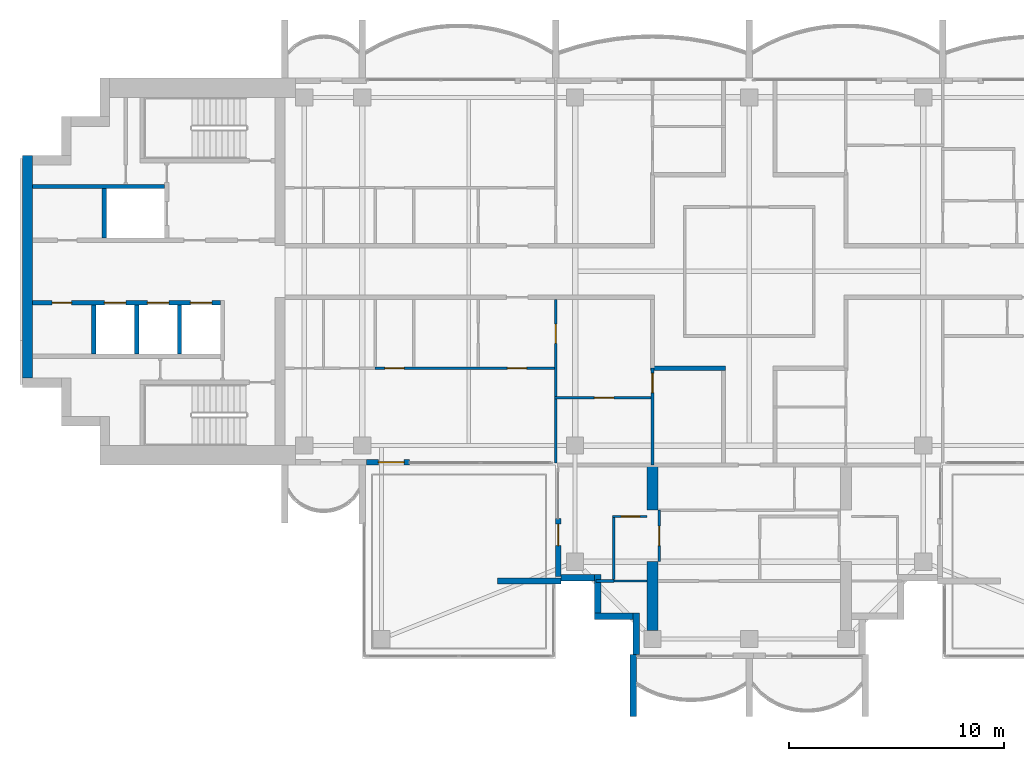
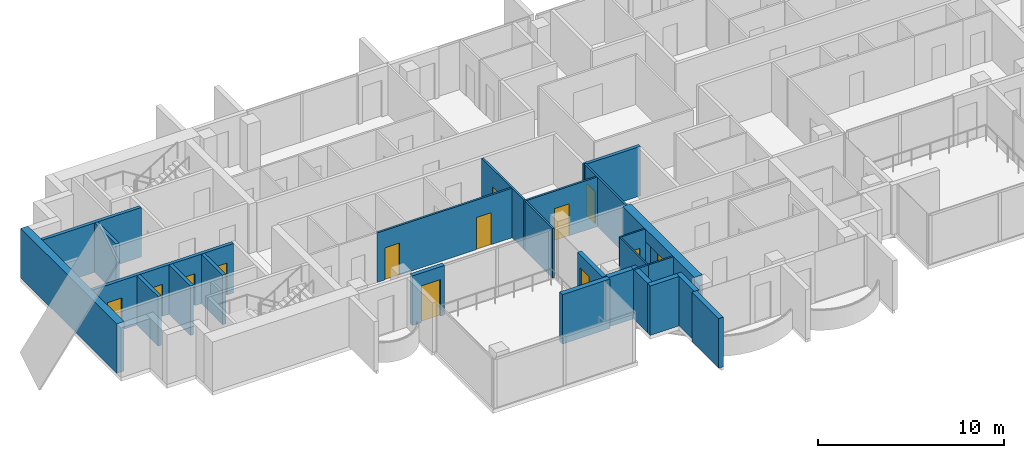
# One storey, part 7 of 17: 26 walls, 13 doors, 13 openings.
"""IFC4 building model written with IfcOpenShell, lengths in metres."""

from ifc_helpers import new_model, si_unit, direction, frame, frame_2d, origin, place, context, subcontext, project, spatial, polyline, rectangle, outline, extrude, material, layer, layer_set, material_profile, profile_set, type_object, element, fill, save


model = new_model("IFC4")

# Units and contexts
model_context = context("Model", 3, precision=1e-05, world=origin(), true_north=direction((0.0, 1.0)))
body_context = subcontext(model_context, "Body", "Model", "MODEL_VIEW")
ifc_project = project(units=[si_unit("LENGTHUNIT", "METRE"), si_unit("AREAUNIT", "SQUARE_METRE"), si_unit("VOLUMEUNIT", "CUBIC_METRE"), si_unit("PLANEANGLEUNIT", "RADIAN"), si_unit("MASSUNIT", "GRAM", prefix="KILO")], contexts=[model_context])

# Site, building, storey
site_placement = place(None, origin())
site = spatial("IfcSite", under=ifc_project, at=site_placement, CompositionType="ELEMENT")
building_placement = place(site_placement, origin())
building = spatial("IfcBuilding", under=site, at=building_placement, Name="Perihelion Cross Residences", CompositionType="ELEMENT")
storey_placement = place(building_placement, frame((0.0, 0.0, 278.0)))
storey = spatial("IfcBuildingStorey", under=building, at=storey_placement, Name="L71", CompositionType="ELEMENT", Elevation=278.0)

# Wall
ifc_material_1 = material(Name="Plasterboard partition")
ifc_layer_1 = layer(ifc_material_1, 0.199951171875)
ifc_layer_set_1 = layer_set([ifc_layer_1], Name="Apartment separation wall 200")
wall_type_1 = type_object("IfcWallType", Name="Apartment separation wall 200", PredefinedType="PARTITIONING", material=ifc_layer_set_1)
wall_1_placement = place(storey_placement, frame((-1.10009765625, -4.5, 0.0), z_axis=(0.0, 0.0, 1.0), x_axis=(-1.0, 0.0, 0.0)))
element("IfcWall", 1, at=wall_1_placement, inside=storey, type_object=wall_type_1, Name="Partition L71 W020", PredefinedType="PARTITIONING", context=body_context, shape_type="SweptSolid", body=[
    extrude(rectangle(XDim=3.5, YDim=0.199951171875, at=frame_2d((1.75, 0.0))), origin(), (0.0, 0.0, 1.0), 3.25),
])

# Wall, opening, door
ifc_material_2 = material(Name="Concrete C30/37, bronze-clad", Category="concrete")
ifc_layer_2 = layer(ifc_material_2, 0.25)
ifc_layer_set_2 = layer_set([ifc_layer_2], Name="Bronze-clad pier wall 250")
wall_type_2 = type_object("IfcWallType", Name="Bronze-clad pier wall 250", PredefinedType="SOLIDWALL", material=ifc_layer_set_2)
wall_2_placement = place(storey_placement, frame((-17.800048828125, -8.875, 0.0), z_axis=(0.0, 0.0, 1.0), x_axis=(1.0, 0.0, 0.0)))
wall_2 = element("IfcWall", 2, at=wall_2_placement, inside=storey, type_object=wall_type_2, Name="Wall FW1 L71 west side south bay 2 pier", PredefinedType="SOLIDWALL", context=body_context, shape_type="SweptSolid", body=[
    extrude(rectangle(XDim=2.0, YDim=0.25, at=frame_2d((1.0, 0.0))), origin(), (0.0, 0.0, 1.0), 3.25),
])
opening_1_placement = place(wall_2_placement, frame((0.550048828125, 0.0, 0.0)))
opening_1 = element("IfcOpeningElement", 3, at=opening_1_placement, cuts=wall_2, Name="Opening L71.E08", PredefinedType="OPENING", context=body_context, shape_type="SweptSolid", body=[
    extrude(rectangle(XDim=1.199951171875, YDim=2.39990234375, at=frame_2d((0.60009765625, 1.199951171875))), frame((0.0, 0.135009765625, 0.0), z_axis=(0.0, -1.0, 0.0), x_axis=(1.0, 0.0, 0.0)), (0.0, 0.0, 1.0), 0.27001953125),
])
ifc_material_3 = material(Name="Bronze anodised aluminium, glazed", Category="aluminium")
door_type_1 = type_object("IfcDoorType", Name="Balcony door 1200 x 2400", OperationType="NOTDEFINED", PredefinedType="DOOR", material=ifc_material_3)
door_1_placement = place(opening_1_placement, origin())
door_1 = element("IfcDoor", 4, at=door_1_placement, inside=storey, type_object=door_type_1, Name="Door L71.E08 west side south bay 2", OperationType="SINGLE_SWING_RIGHT", OverallHeight=2.39990234375, OverallWidth=1.199951171875, PredefinedType="DOOR", context=body_context, shape_type="SweptSolid", body=[
    extrude(rectangle(XDim=1.199951171875, YDim=2.39990234375, at=frame_2d((0.60009765625, 1.199951171875))), frame((0.0, 0.02490234375, 0.0), z_axis=(0.0, -1.0, 0.0), x_axis=(1.0, 0.0, 0.0)), (0.0, 0.0, 1.0), 0.050048828125),
])
fill(opening_1, door_1)

wall_3_placement = place(storey_placement, frame((-8.875, -11.5, 0.0), z_axis=(0.0, 0.0, 1.0), x_axis=(0.0, -1.0, 0.0)))
wall_3 = element("IfcWall", 5, at=wall_3_placement, inside=storey, type_object=wall_type_2, Name="Wall FW1 L71 south side west bay 1 pier", PredefinedType="SOLIDWALL", context=body_context, shape_type="SweptSolid", body=[
    extrude(rectangle(XDim=2.699951171875, YDim=0.25, at=frame_2d((1.35009765625, 0.0))), origin(), (0.0, 0.0, 1.0), 3.25),
])
opening_2_placement = place(wall_3_placement, frame((0.25, 0.0, 0.0)))
opening_2 = element("IfcOpeningElement", 6, at=opening_2_placement, cuts=wall_3, Name="Opening L71.E09", PredefinedType="OPENING", context=body_context, shape_type="SweptSolid", body=[
    extrude(rectangle(XDim=1.0, YDim=2.39990234375, at=frame_2d((0.5, 1.199951171875))), frame((0.0, 0.135009765625, 0.0), z_axis=(0.0, -1.0, 0.0), x_axis=(1.0, 0.0, 0.0)), (0.0, 0.0, 1.0), 0.27001953125),
])
ifc_material_4 = material(Name="Bronze anodised aluminium, glazed", Category="aluminium")
door_type_2 = type_object("IfcDoorType", Name="Balcony door 1000 x 2400", OperationType="NOTDEFINED", PredefinedType="DOOR", material=ifc_material_4)
door_2_placement = place(opening_2_placement, origin())
door_2 = element("IfcDoor", 7, at=door_2_placement, inside=storey, type_object=door_type_2, Name="Door L71.E09 south side west bay 1", OperationType="SINGLE_SWING_LEFT", OverallHeight=2.39990234375, OverallWidth=1.0, PredefinedType="DOOR", context=body_context, shape_type="SweptSolid", body=[
    extrude(rectangle(XDim=1.0, YDim=2.39990234375, at=frame_2d((0.5, 1.199951171875))), frame((0.0, 0.02490234375, 0.0), z_axis=(0.0, -1.0, 0.0), x_axis=(1.0, 0.0, 0.0)), (0.0, 0.0, 1.0), 0.050048828125),
])
fill(opening_2, door_2)

# Walls
ifc_material_5 = material(Name="Concrete C30/37, bronze-clad", Category="concrete")
ifc_layer_3 = layer(ifc_material_5, 0.300048828125)
ifc_layer_set_3 = layer_set([ifc_layer_3], Name="Bronze-clad serration wall 300")
wall_type_3 = type_object("IfcWallType", Name="Bronze-clad serration wall 300", PredefinedType="SOLIDWALL", material=ifc_layer_set_3)
wall_4_placement = place(storey_placement, frame((-8.75, -14.25, 0.0), z_axis=(0.0, 0.0, 1.0), x_axis=(1.0, 0.0, 0.0)))
element("IfcWall", 8, at=wall_4_placement, inside=storey, type_object=wall_type_3, Name="Wall SR1 L71 south corner south-west 1", PredefinedType="SOLIDWALL", context=body_context, shape_type="SweptSolid", body=[
    extrude(rectangle(XDim=1.550048828125, YDim=0.300048828125, at=frame_2d((0.77490234375, 0.0))), origin(), (0.0, 0.0, 1.0), 3.25),
])
wall_5_placement = place(storey_placement, frame((-7.050048828125, -14.10009765625, 0.0), z_axis=(0.0, 0.0, 1.0), x_axis=(0.0, -1.0, 0.0)))
element("IfcWall", 9, at=wall_5_placement, inside=storey, type_object=wall_type_3, Name="Wall SR1 L71 south corner south-west 2", PredefinedType="SOLIDWALL", context=body_context, shape_type="SweptSolid", body=[
    extrude(rectangle(XDim=1.7998046875, YDim=0.300048828125, at=frame_2d((0.89990234375, 0.0))), origin(), (0.0, 0.0, 1.0), 3.25),
])
wall_6_placement = place(storey_placement, frame((-7.199951171875, -16.050048828125, 0.0), z_axis=(0.0, 0.0, 1.0), x_axis=(1.0, 0.0, 0.0)))
element("IfcWall", 10, at=wall_6_placement, inside=storey, type_object=wall_type_3, Name="Wall SR1 L71 south corner south-west 3", PredefinedType="SOLIDWALL", context=body_context, shape_type="SweptSolid", body=[
    extrude(rectangle(XDim=1.800048828125, YDim=0.300048828125, at=frame_2d((0.89990234375, 0.0))), origin(), (0.0, 0.0, 1.0), 3.25),
])
wall_7_placement = place(storey_placement, frame((-5.25, -15.89990234375, 0.0), z_axis=(0.0, 0.0, 1.0), x_axis=(0.0, -1.0, 0.0)))
element("IfcWall", 11, at=wall_7_placement, inside=storey, type_object=wall_type_3, Name="Wall SR1 L71 south corner south-west 4", PredefinedType="SOLIDWALL", context=body_context, shape_type="SweptSolid", body=[
    extrude(rectangle(XDim=1.920166015625, YDim=0.300048828125, at=frame_2d((0.9599609375, 0.0))), origin(), (0.0, 0.0, 1.0), 3.25),
])
ifc_material_6 = material(Name="Concrete C60/75", Category="concrete")
ifc_layer_4 = layer(ifc_material_6, 0.449951171875)
ifc_layer_set_4 = layer_set([ifc_layer_4], Name="Core wall, outer 450")
wall_type_4 = type_object("IfcWallType", Name="Core wall, outer 450", PredefinedType="SHEAR", material=ifc_layer_set_4)
wall_8_placement = place(storey_placement, frame((-33.574951171875, -4.949951171875, 0.0), z_axis=(0.0, 0.0, 1.0), x_axis=(0.0, 1.0, 0.0)))
element("IfcWall", 12, at=wall_8_placement, inside=storey, type_object=wall_type_4, Name="West core core wall, outer", PredefinedType="SHEAR", context=body_context, shape_type="SweptSolid", body=[
    extrude(rectangle(XDim=10.349853515625, YDim=0.449951171875, at=frame_2d((5.1748046875, 0.0))), origin(), (0.0, 0.0, 1.0), 3.25),
])

# Wall, opening, door
ifc_material_7 = material(Name="Plasterboard partition")
ifc_layer_5 = layer(ifc_material_7, 0.1201171875)
ifc_layer_set_5 = layer_set([ifc_layer_5], Name="Infill panel 120")
wall_type_5 = type_object("IfcWallType", Name="Infill panel 120", PredefinedType="PARTITIONING", material=ifc_layer_set_5)
wall_9_placement = place(storey_placement, frame((-4.18994140625, -11.10009765625, 0.0), z_axis=(0.0, 0.0, 1.0), x_axis=(0.0, -1.0, 0.0)))
wall_9 = element("IfcWall", 13, at=wall_9_placement, inside=storey, type_object=wall_type_5, Name="Partition L71 WI02", PredefinedType="PARTITIONING", context=body_context, shape_type="SweptSolid", body=[
    extrude(rectangle(XDim=2.39990234375, YDim=0.1201171875, at=frame_2d((1.199951171875, 0.0))), origin(), (0.0, 0.0, 1.0), 2.39990234375),
])
opening_3_placement = place(wall_9_placement, frame((0.75, 0.0, 0.0)))
opening_3 = element("IfcOpeningElement", 14, at=opening_3_placement, cuts=wall_9, Name="Opening L71.A47", PredefinedType="OPENING", context=body_context, shape_type="SweptSolid", body=[
    extrude(rectangle(XDim=0.89990234375, YDim=2.10009765625, at=frame_2d((0.449951171875, 1.050048828125))), frame((0.0, 0.070068359375, 0.0), z_axis=(0.0, -1.0, 0.0), x_axis=(1.0, 0.0, 0.0)), (0.0, 0.0, 1.0), 0.14013671875),
])
ifc_material_8 = material(Name="Timber door leaf", Category="wood")
door_type_3 = type_object("IfcDoorType", Name="Interior room door 900 x 2100", OperationType="SINGLE_SWING_LEFT", PredefinedType="DOOR", material=ifc_material_8)
door_3_placement = place(opening_3_placement, origin())
door_3 = element("IfcDoor", 15, at=door_3_placement, inside=storey, type_object=door_type_3, Name="Door L71.A47", OperationType="SINGLE_SWING_LEFT", OverallHeight=2.10009765625, OverallWidth=0.89990234375, PredefinedType="DOOR", context=body_context, shape_type="SweptSolid", body=[
    extrude(rectangle(XDim=0.89990234375, YDim=2.10009765625, at=frame_2d((0.449951171875, 1.050048828125))), frame((0.0, 0.02490234375, 0.0), z_axis=(0.0, -1.0, 0.0), x_axis=(1.0, 0.0, 0.0)), (0.0, 0.0, 1.0), 0.050048828125),
])
fill(opening_3, door_3)

# Wall, openings, doors
ifc_material_9 = material(Name="Plasterboard partition")
ifc_layer_6 = layer(ifc_material_9, 0.1201171875)
ifc_layer_set_6 = layer_set([ifc_layer_6], Name="Partition wall 120")
wall_type_6 = type_object("IfcWallType", Name="Partition wall 120", PredefinedType="PARTITIONING", material=ifc_layer_set_6)
wall_10_placement = place(storey_placement, frame((-8.93994140625, -4.5, 0.0), z_axis=(0.0, 0.0, 1.0), x_axis=(-1.0, 0.0, 0.0)))
wall_10 = element("IfcWall", 16, at=wall_10_placement, inside=storey, type_object=wall_type_6, Name="Partition L71 W058", PredefinedType="PARTITIONING", context=body_context, shape_type="SweptSolid", body=[
    extrude(rectangle(XDim=8.4599609375, YDim=0.1201171875, at=frame_2d((4.22998046875, 0.0))), origin(), (0.0, 0.0, 1.0), 3.25),
])
opening_4_placement = place(wall_10_placement, frame((7.110107421875, 0.0, 0.0)))
opening_4 = element("IfcOpeningElement", 17, at=opening_4_placement, cuts=wall_10, Name="Opening L71.A32", PredefinedType="OPENING", context=body_context, shape_type="SweptSolid", body=[
    extrude(rectangle(XDim=0.89990234375, YDim=2.10009765625, at=frame_2d((0.449951171875, 1.050048828125))), frame((0.0, 0.070068359375, 0.0), z_axis=(0.0, -1.0, 0.0), x_axis=(1.0, 0.0, 0.0)), (0.0, 0.0, 1.0), 0.14013671875),
])
opening_5_placement = place(wall_10_placement, frame((1.409912109375, 0.0, 0.0)))
opening_5 = element("IfcOpeningElement", 18, at=opening_5_placement, cuts=wall_10, Name="Opening L71.A34", PredefinedType="OPENING", context=body_context, shape_type="SweptSolid", body=[
    extrude(rectangle(XDim=0.89990234375, YDim=2.10009765625, at=frame_2d((0.449951171875, 1.050048828125))), frame((0.0, 0.070068359375, 0.0), z_axis=(0.0, -1.0, 0.0), x_axis=(1.0, 0.0, 0.0)), (0.0, 0.0, 1.0), 0.14013671875),
])
door_4_placement = place(opening_4_placement, origin())
door_4 = element("IfcDoor", 19, at=door_4_placement, inside=storey, type_object=door_type_3, Name="Door L71.A32", OperationType="SINGLE_SWING_RIGHT", OverallHeight=2.10009765625, OverallWidth=0.89990234375, PredefinedType="DOOR", context=body_context, shape_type="SweptSolid", body=[
    extrude(rectangle(XDim=0.89990234375, YDim=2.10009765625, at=frame_2d((0.449951171875, 1.050048828125))), frame((0.0, 0.02490234375, 0.0), z_axis=(0.0, -1.0, 0.0), x_axis=(1.0, 0.0, 0.0)), (0.0, 0.0, 1.0), 0.050048828125),
])
fill(opening_4, door_4)
door_5_placement = place(opening_5_placement, origin())
door_5 = element("IfcDoor", 20, at=door_5_placement, inside=storey, type_object=door_type_3, Name="Door L71.A34", OperationType="SINGLE_SWING_RIGHT", OverallHeight=2.10009765625, OverallWidth=0.89990234375, PredefinedType="DOOR", context=body_context, shape_type="SweptSolid", body=[
    extrude(rectangle(XDim=0.89990234375, YDim=2.10009765625, at=frame_2d((0.449951171875, 1.050048828125))), frame((0.0, 0.02490234375, 0.0), z_axis=(0.0, -1.0, 0.0), x_axis=(1.0, 0.0, 0.0)), (0.0, 0.0, 1.0), 0.050048828125),
])
fill(opening_5, door_5)

# Wall, opening, door
wall_11_placement = place(storey_placement, frame((-9.0, -1.300048828125, 0.0), z_axis=(0.0, 0.0, 1.0), x_axis=(0.0, -1.0, 0.0)))
wall_11 = element("IfcWall", 21, at=wall_11_placement, inside=storey, type_object=wall_type_6, Name="Partition L71 W059", PredefinedType="PARTITIONING", context=body_context, shape_type="SweptSolid", body=[
    extrude(rectangle(XDim=7.619873046875, YDim=0.1201171875, at=frame_2d((3.81005859375, 0.0))), origin(), (0.0, 0.0, 1.0), 3.25),
])
opening_6_placement = place(wall_11_placement, frame((1.14990234375, 0.0, 0.0)))
opening_6 = element("IfcOpeningElement", 22, at=opening_6_placement, cuts=wall_11, Name="Opening L71.A30", PredefinedType="OPENING", context=body_context, shape_type="SweptSolid", body=[
    extrude(rectangle(XDim=0.89990234375, YDim=2.10009765625, at=frame_2d((0.449951171875, 1.050048828125))), frame((0.0, 0.070068359375, 0.0), z_axis=(0.0, -1.0, 0.0), x_axis=(1.0, 0.0, 0.0)), (0.0, 0.0, 1.0), 0.14013671875),
])
door_6_placement = place(opening_6_placement, origin())
door_6 = element("IfcDoor", 23, at=door_6_placement, inside=storey, type_object=door_type_3, Name="Door L71.A30", OperationType="SINGLE_SWING_RIGHT", OverallHeight=2.10009765625, OverallWidth=0.89990234375, PredefinedType="DOOR", context=body_context, shape_type="SweptSolid", body=[
    extrude(rectangle(XDim=0.89990234375, YDim=2.10009765625, at=frame_2d((0.449951171875, 1.050048828125))), frame((0.0, 0.02490234375, 0.0), z_axis=(0.0, -1.0, 0.0), x_axis=(1.0, 0.0, 0.0)), (0.0, 0.0, 1.0), 0.050048828125),
])
fill(opening_6, door_6)

wall_12_placement = place(storey_placement, frame((-4.43994140625, -5.8798828125, 0.0), z_axis=(0.0, 0.0, 1.0), x_axis=(-1.0, 0.0, 0.0)))
wall_12 = element("IfcWall", 24, at=wall_12_placement, inside=storey, type_object=wall_type_6, Name="Partition L71 W065", PredefinedType="PARTITIONING", context=body_context, shape_type="SweptSolid", body=[
    extrude(rectangle(XDim=4.6201171875, YDim=0.1201171875, at=frame_2d((2.31005859375, 0.0))), origin(), (0.0, 0.0, 1.0), 3.25),
])
opening_7_placement = place(wall_12_placement, frame((1.860107421875, 0.0, 0.0)))
opening_7 = element("IfcOpeningElement", 25, at=opening_7_placement, cuts=wall_12, Name="Opening L71.A33", PredefinedType="OPENING", context=body_context, shape_type="SweptSolid", body=[
    extrude(rectangle(XDim=0.89990234375, YDim=2.10009765625, at=frame_2d((0.449951171875, 1.050048828125))), frame((0.0, 0.070068359375, 0.0), z_axis=(0.0, -1.0, 0.0), x_axis=(1.0, 0.0, 0.0)), (0.0, 0.0, 1.0), 0.14013671875),
])
door_7_placement = place(opening_7_placement, origin())
door_7 = element("IfcDoor", 26, at=door_7_placement, inside=storey, type_object=door_type_3, Name="Door L71.A33", OperationType="SINGLE_SWING_LEFT", OverallHeight=2.10009765625, OverallWidth=0.89990234375, PredefinedType="DOOR", context=body_context, shape_type="SweptSolid", body=[
    extrude(rectangle(XDim=0.89990234375, YDim=2.10009765625, at=frame_2d((0.449951171875, 1.050048828125))), frame((0.0, 0.02490234375, 0.0), z_axis=(0.0, -1.0, 0.0), x_axis=(1.0, 0.0, 0.0)), (0.0, 0.0, 1.0), 0.050048828125),
])
fill(opening_7, door_7)

wall_13_placement = place(storey_placement, frame((-4.5, -4.5, 0.0), z_axis=(0.0, 0.0, 1.0), x_axis=(0.0, -1.0, 0.0)))
wall_13 = element("IfcWall", 27, at=wall_13_placement, inside=storey, type_object=wall_type_6, Name="Partition L71 W066", PredefinedType="PARTITIONING", context=body_context, shape_type="SweptSolid", body=[
    extrude(rectangle(XDim=4.5, YDim=0.1201171875, at=frame_2d((2.25, 0.0))), origin(), (0.0, 0.0, 1.0), 3.25),
])
opening_8_placement = place(wall_13_placement, frame((0.239990234375, 0.0, 0.0)))
opening_8 = element("IfcOpeningElement", 28, at=opening_8_placement, cuts=wall_13, Name="Opening L71.A28", PredefinedType="OPENING", context=body_context, shape_type="SweptSolid", body=[
    extrude(rectangle(XDim=0.89990234375, YDim=2.10009765625, at=frame_2d((0.449951171875, 1.050048828125))), frame((0.0, 0.070068359375, 0.0), z_axis=(0.0, -1.0, 0.0), x_axis=(1.0, 0.0, 0.0)), (0.0, 0.0, 1.0), 0.14013671875),
])
door_8_placement = place(opening_8_placement, origin())
door_8 = element("IfcDoor", 29, at=door_8_placement, inside=storey, type_object=door_type_3, Name="Door L71.A28", OperationType="SINGLE_SWING_RIGHT", OverallHeight=2.10009765625, OverallWidth=0.89990234375, PredefinedType="DOOR", context=body_context, shape_type="SweptSolid", body=[
    extrude(rectangle(XDim=0.89990234375, YDim=2.10009765625, at=frame_2d((0.449951171875, 1.050048828125))), frame((0.0, 0.02490234375, 0.0), z_axis=(0.0, -1.0, 0.0), x_axis=(1.0, 0.0, 0.0)), (0.0, 0.0, 1.0), 0.050048828125),
])
fill(opening_8, door_8)

# Walls
wall_14_placement = place(storey_placement, frame((-6.300048828125, -14.39990234375, 0.0), z_axis=(0.0, 0.0, 1.0), x_axis=(-1.0, 0.0, 0.0)))
element("IfcWall", 30, at=wall_14_placement, inside=storey, type_object=wall_type_6, Name="Partition L71 W078", PredefinedType="PARTITIONING", context=body_context, shape_type="SweptSolid", body=[
    extrude(rectangle(XDim=0.820068359375, YDim=0.1201171875, at=frame_2d((0.41015625, 0.0))), origin(), (0.0, 0.0, 1.0), 3.25),
])
ifc_material_10 = material(Name="Precast concrete C50/60", Category="concrete")
ifc_layer_7 = layer(ifc_material_10, 0.300048828125)
ifc_layer_set_7 = layer_set([ifc_layer_7], Name="Precast concrete C50/60 blade wall 300")
wall_type_7 = type_object("IfcWallType", Name="Precast concrete C50/60 blade wall 300", PredefinedType="SOLIDWALL", material=ifc_layer_set_7)
wall_15_placement = place(storey_placement, frame((-8.75, -14.39990234375, 0.0), z_axis=(0.0, 0.0, 1.0), x_axis=(-1.0, 0.0, 0.0)))
element("IfcWall", 31, at=wall_15_placement, inside=storey, type_object=wall_type_7, Name="Wall BL1 L71 no. 6", PredefinedType="SOLIDWALL", context=body_context, shape_type="SweptSolid", body=[
    extrude(rectangle(XDim=2.949951171875, YDim=0.300048828125, at=frame_2d((1.47509765625, 0.0))), origin(), (0.0, 0.0, 1.0), 3.25),
])
wall_16_placement = place(storey_placement, frame((-5.39990234375, -17.820068359375, 0.0), z_axis=(0.0, 0.0, 1.0), x_axis=(0.0, -1.0, 0.0)))
element("IfcWall", 32, at=wall_16_placement, inside=storey, type_object=wall_type_7, Name="Wall BL1 L71 no. 5", PredefinedType="SOLIDWALL", context=body_context, shape_type="SweptSolid", body=[
    extrude(rectangle(XDim=2.8798828125, YDim=0.300048828125, at=frame_2d((1.43994140625, 0.0))), origin(), (0.0, 0.0, 1.0), 3.25),
])

# Wall, openings, doors
ifc_material_11 = material(Name="Concrete C50/60", Category="concrete")
ifc_layer_8 = layer(ifc_material_11, 0.199951171875)
ifc_layer_set_8 = layer_set([ifc_layer_8], Name="Shaft wall 200")
wall_type_8 = type_object("IfcWallType", Name="Shaft wall 200", PredefinedType="SOLIDWALL", material=ifc_layer_set_8)
wall_17_placement = place(storey_placement, frame((-33.35009765625, -1.449951171875, 0.0), z_axis=(0.0, 0.0, 1.0), x_axis=(1.0, 0.0, 0.0)))
wall_17 = element("IfcWall", 33, at=wall_17_placement, inside=storey, type_object=wall_type_8, Name="West core shaft wall", PredefinedType="SOLIDWALL", context=body_context, shape_type="SweptSolid", body=[
    extrude(rectangle(XDim=8.75, YDim=0.199951171875, at=frame_2d((4.375, 0.0))), origin(), (0.0, 0.0, 1.0), 3.25),
])
opening_9_placement = place(wall_17_placement, frame((7.35009765625, 0.0, 0.0)))
opening_9 = element("IfcOpeningElement", 34, at=opening_9_placement, cuts=wall_17, Name="Opening L71.C15", PredefinedType="OPENING", context=body_context, shape_type="SweptSolid", body=[
    extrude(rectangle(XDim=1.0, YDim=2.10009765625, at=frame_2d((0.5, 1.050048828125))), frame((0.0, 0.10986328125, 0.0), z_axis=(0.0, -1.0, 0.0), x_axis=(1.0, 0.0, 0.0)), (0.0, 0.0, 1.0), 0.219970703125),
])
opening_10_placement = place(wall_17_placement, frame((5.35009765625, 0.0, 0.0)))
opening_10 = element("IfcOpeningElement", 35, at=opening_10_placement, cuts=wall_17, Name="Opening L71.C17", PredefinedType="OPENING", context=body_context, shape_type="SweptSolid", body=[
    extrude(rectangle(XDim=1.0, YDim=2.10009765625, at=frame_2d((0.5, 1.050048828125))), frame((0.0, 0.10986328125, 0.0), z_axis=(0.0, -1.0, 0.0), x_axis=(1.0, 0.0, 0.0)), (0.0, 0.0, 1.0), 0.219970703125),
])
opening_11_placement = place(wall_17_placement, frame((3.35009765625, 0.0, 0.0)))
opening_11 = element("IfcOpeningElement", 36, at=opening_11_placement, cuts=wall_17, Name="Opening L71.C18", PredefinedType="OPENING", context=body_context, shape_type="SweptSolid", body=[
    extrude(rectangle(XDim=1.0, YDim=2.10009765625, at=frame_2d((0.5, 1.050048828125))), frame((0.0, 0.10986328125, 0.0), z_axis=(0.0, -1.0, 0.0), x_axis=(1.0, 0.0, 0.0)), (0.0, 0.0, 1.0), 0.219970703125),
])
opening_12_placement = place(wall_17_placement, frame((0.925048828125, 0.0, 0.0)))
opening_12 = element("IfcOpeningElement", 37, at=opening_12_placement, cuts=wall_17, Name="Opening L71.C28", PredefinedType="OPENING", context=body_context, shape_type="SweptSolid", body=[
    extrude(rectangle(XDim=0.89990234375, YDim=2.10009765625, at=frame_2d((0.449951171875, 1.050048828125))), frame((0.0, 0.10986328125, 0.0), z_axis=(0.0, -1.0, 0.0), x_axis=(1.0, 0.0, 0.0)), (0.0, 0.0, 1.0), 0.219970703125),
])
ifc_material_12 = material(Name="Stainless steel", Category="steel")
door_type_4 = type_object("IfcDoorType", Name="Landing door 1000", OperationType="DOUBLE_DOOR_SLIDING", PredefinedType="DOOR", material=ifc_material_12)
door_9_placement = place(opening_9_placement, origin())
door_9 = element("IfcDoor", 38, at=door_9_placement, inside=storey, type_object=door_type_4, Name="Landing door, West core high-rise lift 1", OperationType="DOUBLE_DOOR_SLIDING", OverallHeight=2.10009765625, OverallWidth=1.0, PredefinedType="DOOR", context=body_context, shape_type="SweptSolid", body=[
    extrude(rectangle(XDim=1.0, YDim=2.10009765625, at=frame_2d((0.5, 1.050048828125))), frame((0.0, 0.02490234375, 0.0), z_axis=(0.0, -1.0, 0.0), x_axis=(1.0, 0.0, 0.0)), (0.0, 0.0, 1.0), 0.050048828125),
])
fill(opening_9, door_9)
door_10_placement = place(opening_10_placement, origin())
door_10 = element("IfcDoor", 39, at=door_10_placement, inside=storey, type_object=door_type_4, Name="Landing door, West core high-rise lift 2", OperationType="DOUBLE_DOOR_SLIDING", OverallHeight=2.10009765625, OverallWidth=1.0, PredefinedType="DOOR", context=body_context, shape_type="SweptSolid", body=[
    extrude(rectangle(XDim=1.0, YDim=2.10009765625, at=frame_2d((0.5, 1.050048828125))), frame((0.0, 0.02490234375, 0.0), z_axis=(0.0, -1.0, 0.0), x_axis=(1.0, 0.0, 0.0)), (0.0, 0.0, 1.0), 0.050048828125),
])
fill(opening_10, door_10)
door_11_placement = place(opening_11_placement, origin())
door_11 = element("IfcDoor", 40, at=door_11_placement, inside=storey, type_object=door_type_4, Name="Landing door, West core high-rise lift 3", OperationType="DOUBLE_DOOR_SLIDING", OverallHeight=2.10009765625, OverallWidth=1.0, PredefinedType="DOOR", context=body_context, shape_type="SweptSolid", body=[
    extrude(rectangle(XDim=1.0, YDim=2.10009765625, at=frame_2d((0.5, 1.050048828125))), frame((0.0, 0.02490234375, 0.0), z_axis=(0.0, -1.0, 0.0), x_axis=(1.0, 0.0, 0.0)), (0.0, 0.0, 1.0), 0.050048828125),
])
fill(opening_11, door_11)
ifc_material_13 = material(Name="Steel, powder coated", Category="steel")
door_type_5 = type_object("IfcDoorType", Name="Service room door 900", OperationType="SINGLE_SWING_LEFT", PredefinedType="DOOR", material=ifc_material_13)
door_12_placement = place(opening_12_placement, origin())
door_12 = element("IfcDoor", 41, at=door_12_placement, inside=storey, type_object=door_type_5, Name="West core service room door", OperationType="SINGLE_SWING_LEFT", OverallHeight=2.10009765625, OverallWidth=0.89990234375, PredefinedType="DOOR", context=body_context, shape_type="SweptSolid", body=[
    extrude(rectangle(XDim=0.89990234375, YDim=2.10009765625, at=frame_2d((0.449951171875, 1.050048828125))), frame((0.0, 0.02490234375, 0.0), z_axis=(0.0, -1.0, 0.0), x_axis=(1.0, 0.0, 0.0)), (0.0, 0.0, 1.0), 0.050048828125),
])
fill(opening_12, door_12)

# Walls
wall_18_placement = place(storey_placement, frame((-33.35009765625, 3.949951171875, 0.0), z_axis=(0.0, 0.0, 1.0), x_axis=(1.0, 0.0, 0.0)))
element("IfcWall", 42, at=wall_18_placement, inside=storey, type_object=wall_type_8, Name="West core shaft wall", PredefinedType="SOLIDWALL", context=body_context, shape_type="SweptSolid", body=[
    extrude(rectangle(XDim=6.150146484375, YDim=0.199951171875, at=frame_2d((3.0751953125, 0.0))), origin(), (0.0, 0.0, 1.0), 3.25),
])
for number, where, z_axis, x_axis, name in (
    (43, (-30.0, 1.550048828125, 0.0), (0.0, 0.0, 1.0), (0.0, 1.0, 0.0), "West core shaft wall"),
    (44, (-26.5, -3.85009765625, 0.0), (0.0, 0.0, 1.0), (0.0, 1.0, 0.0), "West core shaft wall"),
    (45, (-28.5, -3.85009765625, 0.0), (0.0, 0.0, 1.0), (0.0, 1.0, 0.0), "West core shaft wall"),
    (46, (-30.5, -3.85009765625, 0.0), (0.0, 0.0, 1.0), (0.0, 1.0, 0.0), "West core shaft wall"),
):
    element("IfcWall", number, at=place(storey_placement, frame(where, z_axis=z_axis, x_axis=x_axis)), inside=storey, type_object=wall_type_8, Name=name, PredefinedType="SOLIDWALL", context=body_context, shape_type="SweptSolid", body=[
        extrude(rectangle(XDim=2.300048828125, YDim=0.199951171875, at=frame_2d((1.14990234375, 0.0))), origin(), (0.0, 0.0, 1.0), 3.25),
    ])
ifc_material_14 = material(Name="Concrete C50/60", Category="concrete")
ifc_material_profile = material_profile(ifc_material_14, outline(polyline([(0.0, 0.0), (3.199951171875, 0.0), (3.199951171875, 2.64990234375), (5.60009765625, 2.64990234375), (5.60009765625, 0.0), (7.699951171875, 0.0), (7.699951171875, 3.5), (0.0, 3.5), (0.0, 0.0)])), Name="Tip spine wall")
ifc_profile_set = profile_set([ifc_material_profile], Name="Concrete C50/60")
wall_type_9 = type_object("IfcWallType", Name="Tip spine wall 500 with 1 door openings 7700 long 3500 high concrete C50/60", PredefinedType="SHEAR", material=ifc_profile_set)
wall_19_placement = place(storey_placement, frame((-4.75, -16.699951171875, -0.25), z_axis=(1.0, 0.0, 0.0), x_axis=(0.0, 1.0, 0.0)))
element("IfcWall", 47, at=wall_19_placement, inside=storey, type_object=wall_type_9, Name="Shear wall SW45 L71 south west", PredefinedType="SHEAR", context=body_context, shape_type="SweptSolid", body=[
    extrude(outline(polyline([(0.0, 0.0), (3.199951171875, 0.0), (3.199951171875, 2.64990234375), (5.60009765625, 2.64990234375), (5.60009765625, 0.0), (7.699951171875, 0.0), (7.699951171875, 3.5), (0.0, 3.5), (0.0, 0.0)])), origin(), (0.0, 0.0, 1.0), 0.5),
])

# Wall, opening, door
ifc_material_15 = material(Name="Plasterboard partition")
ifc_layer_9 = layer(ifc_material_15, 0.10009765625)
ifc_layer_set_9 = layer_set([ifc_layer_9], Name="Wet room wall 100")
wall_type_10 = type_object("IfcWallType", Name="Wet room wall 100", PredefinedType="PARTITIONING", material=ifc_layer_set_9)
wall_20_placement = place(storey_placement, frame((-4.75, -11.39990234375, 0.0), z_axis=(0.0, 0.0, 1.0), x_axis=(-1.0, 0.0, 0.0)))
wall_20 = element("IfcWall", 48, at=wall_20_placement, inside=storey, type_object=wall_type_10, Name="Partition L71 W076", PredefinedType="PARTITIONING", context=body_context, shape_type="SweptSolid", body=[
    extrude(rectangle(XDim=1.60009765625, YDim=0.10009765625, at=frame_2d((0.800048828125, 0.0))), origin(), (0.0, 0.0, 1.0), 3.25),
])
opening_13_placement = place(wall_20_placement, frame((0.35009765625, 0.0, 0.0)))
opening_13 = element("IfcOpeningElement", 49, at=opening_13_placement, cuts=wall_20, Name="Opening L71.A41", PredefinedType="OPENING", context=body_context, shape_type="SweptSolid", body=[
    extrude(rectangle(XDim=0.85009765625, YDim=2.10009765625, at=frame_2d((0.425048828125, 1.050048828125))), frame((0.0, 0.06005859375, 0.0), z_axis=(0.0, -1.0, 0.0), x_axis=(1.0, 0.0, 0.0)), (0.0, 0.0, 1.0), 0.1201171875),
])
ifc_material_16 = material(Name="Timber door leaf", Category="wood")
door_type_6 = type_object("IfcDoorType", Name="Interior bathroom door 850 x 2100", OperationType="SINGLE_SWING_LEFT", PredefinedType="DOOR", material=ifc_material_16)
door_13_placement = place(opening_13_placement, origin())
door_13 = element("IfcDoor", 50, at=door_13_placement, inside=storey, type_object=door_type_6, Name="Door L71.A41", OperationType="SINGLE_SWING_LEFT", OverallHeight=2.10009765625, OverallWidth=0.85009765625, PredefinedType="DOOR", context=body_context, shape_type="SweptSolid", body=[
    extrude(rectangle(XDim=0.85009765625, YDim=2.10009765625, at=frame_2d((0.425048828125, 1.050048828125))), frame((0.0, 0.02490234375, 0.0), z_axis=(0.0, -1.0, 0.0), x_axis=(1.0, 0.0, 0.0)), (0.0, 0.0, 1.0), 0.050048828125),
])
fill(opening_13, door_13)

# Walls
wall_21_placement = place(storey_placement, frame((-6.300048828125, -11.449951171875, 0.0), z_axis=(0.0, 0.0, 1.0), x_axis=(0.0, -1.0, 0.0)))
element("IfcWall", 51, at=wall_21_placement, inside=storey, type_object=wall_type_10, Name="Partition L71 W077", PredefinedType="PARTITIONING", context=body_context, shape_type="SweptSolid", body=[
    extrude(rectangle(XDim=2.89013671875, YDim=0.10009765625, at=frame_2d((1.445068359375, 0.0))), origin(), (0.0, 0.0, 1.0), 3.25),
])
wall_22_placement = place(storey_placement, frame((-4.75, -14.39990234375, 0.0), z_axis=(0.0, 0.0, 1.0), x_axis=(-1.0, 0.0, 0.0)))
element("IfcWall", 52, at=wall_22_placement, inside=storey, type_object=wall_type_10, Name="Partition L71 W079", PredefinedType="PARTITIONING", context=body_context, shape_type="SweptSolid", body=[
    extrude(rectangle(XDim=1.550048828125, YDim=0.10009765625, at=frame_2d((0.77490234375, 0.0))), origin(), (0.0, 0.0, 1.0), 3.25),
])

save(model, "model.ifc")
